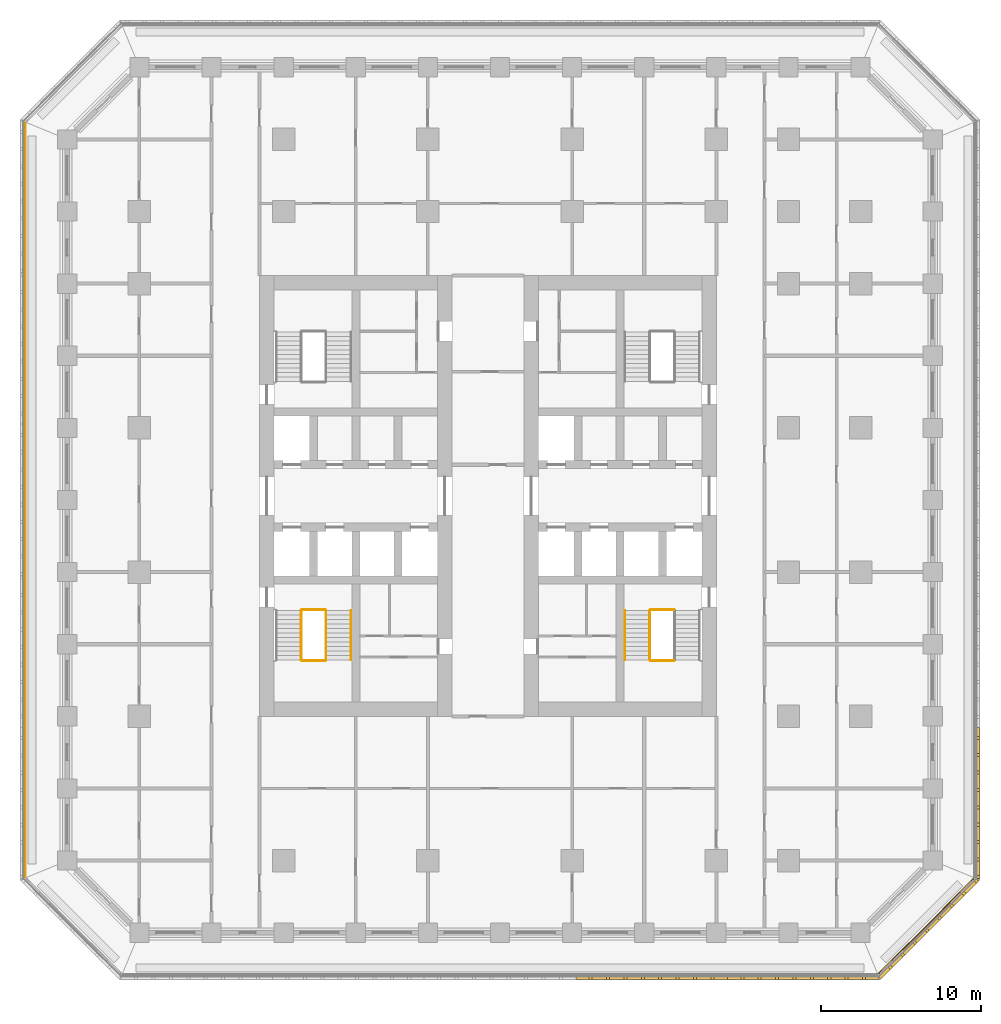
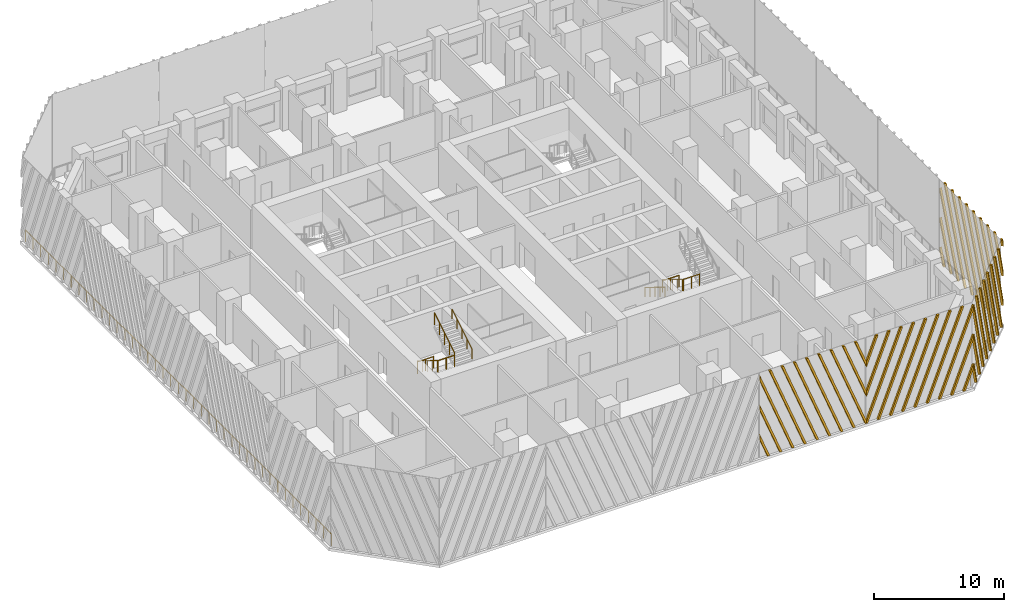
# One storey, part 13 of 20: 11 railings, 4 shading devices.
"""IFC4 building model written with IfcOpenShell, lengths in metres."""

from ifc_helpers import new_model, si_unit, direction, frame, origin, origin_2d, place, context, subcontext, project, spatial, polyline, circle, outline, extrude, source, transform, mapped, material, type_object, element, save


model = new_model("IFC4")

# Units and contexts
model_context = context("Model", 3, precision=1e-05, world=origin(), true_north=direction((0.0, 1.0)))
body_context = subcontext(model_context, "Body", "Model", "MODEL_VIEW")
ifc_project = project(units=[si_unit("LENGTHUNIT", "METRE"), si_unit("AREAUNIT", "SQUARE_METRE"), si_unit("VOLUMEUNIT", "CUBIC_METRE"), si_unit("PLANEANGLEUNIT", "RADIAN"), si_unit("MASSUNIT", "GRAM", prefix="KILO")], contexts=[model_context])

# Site, building, storey
site_placement = place(None, origin())
site = spatial("IfcSite", under=ifc_project, at=site_placement, CompositionType="ELEMENT")
building_placement = place(site_placement, origin())
building = spatial("IfcBuilding", under=site, at=building_placement, Name="Corbel Stack Research Tower", CompositionType="ELEMENT")
storey_placement = place(building_placement, frame((0.0, 0.0, 98.39990234375)))
storey = spatial("IfcBuildingStorey", under=building, at=storey_placement, Name="L22", CompositionType="ELEMENT", Elevation=98.39990234375)

# Railings
ifc_material_1 = material(Name="Steel S355", Category="steel")
railing_type_1 = type_object("IfcRailingType", Name="Stair guard 1100", PredefinedType="GUARDRAIL", material=ifc_material_1)
railing_1_placement = place(storey_placement, frame((-7.89990234375, -2.39990234375, 0.1708984375)))
element("IfcRailing", 1, at=railing_1_placement, inside=storey, type_object=railing_type_1, Name="L22 ST-W1 stair guard 1", PredefinedType="GUARDRAIL", context=body_context, shape_type="SweptSolid", body=[
    extrude(circle(Radius=0.02392578125, at=origin_2d()), frame((0.0, 0.0, 1.076171875), z_axis=(0.0, -0.853666305674, 0.52082035152), x_axis=(1.0, 0.0, 0.0)), (0.0, 0.0, 1.0), 3.608154296875),
    extrude(circle(Radius=0.02099609375, at=origin_2d()), origin(), (0.0, 0.0, 1.0), 1.052001953125),
    extrude(circle(Radius=0.02099609375, at=origin_2d()), frame((0.0, -0.77001953125, 0.4697265625)), (0.0, 0.0, 1.0), 1.052001953125),
    extrude(circle(Radius=0.02099609375, at=origin_2d()), frame((0.0, -1.5400390625, 0.939453125)), (0.0, 0.0, 1.0), 1.052001953125),
    extrude(circle(Radius=0.02099609375, at=origin_2d()), frame((0.0, -2.31005859375, 1.409423828125)), (0.0, 0.0, 1.0), 1.052001953125),
    extrude(circle(Radius=0.02099609375, at=origin_2d()), frame((0.0, -3.080078125, 1.879150390625)), (0.0, 0.0, 1.0), 1.052001953125),
])
railing_2_placement = place(storey_placement, frame((-7.85009765625, -5.530029296875, 2.050048828125)))
element("IfcRailing", 2, at=railing_2_placement, inside=storey, type_object=railing_type_1, Name="L22 ST-W1 stair guard 2", PredefinedType="GUARDRAIL", context=body_context, shape_type="SweptSolid", body=[
    extrude(circle(Radius=0.02392578125, at=origin_2d()), frame((0.0, 0.0, 1.076171875), z_axis=(1.0, 0.0, 0.0), x_axis=(0.0, 1.0, 0.0)), (0.0, 0.0, 1.0), 1.4501953125),
    extrude(circle(Radius=0.02099609375, at=origin_2d()), origin(), (0.0, 0.0, 1.0), 1.052001953125),
    extrude(circle(Radius=0.02099609375, at=origin_2d()), frame((0.72509765625, 0.0, 0.0)), (0.0, 0.0, 1.0), 1.052001953125),
    extrude(circle(Radius=0.02099609375, at=origin_2d()), frame((1.4501953125, 0.0, 0.0)), (0.0, 0.0, 1.0), 1.052001953125),
])
railing_3_placement = place(storey_placement, frame((-6.35009765625, -5.47998046875, 2.220947265625)))
element("IfcRailing", 3, at=railing_3_placement, inside=storey, type_object=railing_type_1, Name="L22 ST-W1 stair guard 4", PredefinedType="GUARDRAIL", context=body_context, shape_type="SweptSolid", body=[
    extrude(circle(Radius=0.02392578125, at=origin_2d()), frame((0.0, 0.0, 1.076171875), z_axis=(0.0, 0.853666305674, 0.52082035152), x_axis=(-1.0, 0.0, 0.0)), (0.0, 0.0, 1.0), 3.608154296875),
    extrude(circle(Radius=0.02099609375, at=origin_2d()), origin(), (0.0, 0.0, 1.0), 1.052001953125),
    extrude(circle(Radius=0.02099609375, at=origin_2d()), frame((0.0, 0.77001953125, 0.4697265625)), (0.0, 0.0, 1.0), 1.052001953125),
    extrude(circle(Radius=0.02099609375, at=origin_2d()), frame((0.0, 1.5400390625, 0.939453125)), (0.0, 0.0, 1.0), 1.052001953125),
    extrude(circle(Radius=0.02099609375, at=origin_2d()), frame((0.0, 2.31005859375, 1.409423828125)), (0.0, 0.0, 1.0), 1.052001953125),
    extrude(circle(Radius=0.02099609375, at=origin_2d()), frame((0.0, 3.080078125, 1.879150390625)), (0.0, 0.0, 1.0), 1.052001953125),
])
railing_4_placement = place(storey_placement, frame((-7.85009765625, -2.35009765625, 0.0)))
element("IfcRailing", 4, at=railing_4_placement, inside=storey, type_object=railing_type_1, Name="L22 ST-W1 stair guard 5", PredefinedType="GUARDRAIL", context=body_context, shape_type="SweptSolid", body=[
    extrude(circle(Radius=0.02392578125, at=origin_2d()), frame((0.0, 0.0, 1.076171875), z_axis=(1.0, 0.0, 0.0), x_axis=(0.0, 1.0, 0.0)), (0.0, 0.0, 1.0), 1.4501953125),
    extrude(circle(Radius=0.02099609375, at=origin_2d()), origin(), (0.0, 0.0, 1.0), 1.052001953125),
    extrude(circle(Radius=0.02099609375, at=origin_2d()), frame((0.72509765625, 0.0, 0.0)), (0.0, 0.0, 1.0), 1.052001953125),
    extrude(circle(Radius=0.02099609375, at=origin_2d()), frame((1.4501953125, 0.0, 0.0)), (0.0, 0.0, 1.0), 1.052001953125),
])
railing_5_placement = place(storey_placement, frame((13.85009765625, -2.39990234375, 0.1708984375)))
element("IfcRailing", 5, at=railing_5_placement, inside=storey, type_object=railing_type_1, Name="L22 ST-E1 stair guard 1", PredefinedType="GUARDRAIL", context=body_context, shape_type="SweptSolid", body=[
    extrude(circle(Radius=0.02392578125, at=origin_2d()), frame((0.0, 0.0, 1.076171875), z_axis=(0.0, -0.853666305674, 0.52082035152), x_axis=(1.0, 0.0, 0.0)), (0.0, 0.0, 1.0), 3.608154296875),
    extrude(circle(Radius=0.02099609375, at=origin_2d()), origin(), (0.0, 0.0, 1.0), 1.052001953125),
    extrude(circle(Radius=0.02099609375, at=origin_2d()), frame((0.0, -0.77001953125, 0.4697265625)), (0.0, 0.0, 1.0), 1.052001953125),
    extrude(circle(Radius=0.02099609375, at=origin_2d()), frame((0.0, -1.5400390625, 0.939453125)), (0.0, 0.0, 1.0), 1.052001953125),
    extrude(circle(Radius=0.02099609375, at=origin_2d()), frame((0.0, -2.31005859375, 1.409423828125)), (0.0, 0.0, 1.0), 1.052001953125),
    extrude(circle(Radius=0.02099609375, at=origin_2d()), frame((0.0, -3.080078125, 1.879150390625)), (0.0, 0.0, 1.0), 1.052001953125),
])
for number, where, name in (
    (6, (13.89990234375, -5.530029296875, 2.050048828125), "L22 ST-E1 stair guard 2"),
    (7, (13.89990234375, -2.35009765625, 0.0), "L22 ST-E1 stair guard 5"),
):
    element("IfcRailing", number, at=place(storey_placement, frame(where)), inside=storey, type_object=railing_type_1, Name=name, PredefinedType="GUARDRAIL", context=body_context, shape_type="SweptSolid", body=[
        extrude(circle(Radius=0.02392578125, at=origin_2d()), frame((0.0, 0.0, 1.076171875), z_axis=(1.0, 0.0, 0.0), x_axis=(0.0, 1.0, 0.0)), (0.0, 0.0, 1.0), 1.4501953125),
        extrude(circle(Radius=0.02099609375, at=origin_2d()), origin(), (0.0, 0.0, 1.0), 1.052001953125),
        extrude(circle(Radius=0.02099609375, at=origin_2d()), frame((0.72509765625, 0.0, 0.0)), (0.0, 0.0, 1.0), 1.052001953125),
        extrude(circle(Radius=0.02099609375, at=origin_2d()), frame((1.4501953125, 0.0, 0.0)), (0.0, 0.0, 1.0), 1.052001953125),
    ])
ifc_material_2 = material(Name="Steel S355", Category="steel")
railing_type_2 = type_object("IfcRailingType", Name="Stair handrail 900", PredefinedType="HANDRAIL", material=ifc_material_2)
railing_6_placement = place(storey_placement, frame((-4.800048828125, -5.47998046875, 2.220947265625)))
element("IfcRailing", 8, at=railing_6_placement, inside=storey, type_object=railing_type_2, Name="L22 ST-W1 stair handrail 2", PredefinedType="HANDRAIL", context=body_context, shape_type="SweptSolid", body=[
    extrude(circle(Radius=0.02392578125, at=origin_2d()), frame((0.0, 0.0, 0.8759765625), z_axis=(0.0, 0.853666305674, 0.52082035152), x_axis=(-1.0, 0.0, 0.0)), (0.0, 0.0, 1.0), 3.608154296875),
    extrude(circle(Radius=0.02099609375, at=origin_2d()), origin(), (0.0, 0.0, 1.0), 0.851806640625),
    extrude(circle(Radius=0.02099609375, at=origin_2d()), frame((0.0, 0.77001953125, 0.4697265625)), (0.0, 0.0, 1.0), 0.851806640625),
    extrude(circle(Radius=0.02099609375, at=origin_2d()), frame((0.0, 1.5400390625, 0.939453125)), (0.0, 0.0, 1.0), 0.851806640625),
    extrude(circle(Radius=0.02099609375, at=origin_2d()), frame((0.0, 2.31005859375, 1.409423828125)), (0.0, 0.0, 1.0), 0.851806640625),
    extrude(circle(Radius=0.02099609375, at=origin_2d()), frame((0.0, 3.080078125, 1.879150390625)), (0.0, 0.0, 1.0), 0.851806640625),
])
railing_7_placement = place(storey_placement, frame((12.300048828125, -2.39990234375, 0.1708984375)))
element("IfcRailing", 9, at=railing_7_placement, inside=storey, type_object=railing_type_2, Name="L22 ST-E1 stair handrail 1", PredefinedType="HANDRAIL", context=body_context, shape_type="SweptSolid", body=[
    extrude(circle(Radius=0.02392578125, at=origin_2d()), frame((0.0, 0.0, 0.8759765625), z_axis=(0.0, -0.853666305674, 0.52082035152), x_axis=(1.0, 0.0, 0.0)), (0.0, 0.0, 1.0), 3.608154296875),
    extrude(circle(Radius=0.02099609375, at=origin_2d()), origin(), (0.0, 0.0, 1.0), 0.851806640625),
    extrude(circle(Radius=0.02099609375, at=origin_2d()), frame((0.0, -0.77001953125, 0.4697265625)), (0.0, 0.0, 1.0), 0.851806640625),
    extrude(circle(Radius=0.02099609375, at=origin_2d()), frame((0.0, -1.5400390625, 0.939453125)), (0.0, 0.0, 1.0), 0.851806640625),
    extrude(circle(Radius=0.02099609375, at=origin_2d()), frame((0.0, -2.31005859375, 1.409423828125)), (0.0, 0.0, 1.0), 0.851806640625),
    extrude(circle(Radius=0.02099609375, at=origin_2d()), frame((0.0, -3.080078125, 1.879150390625)), (0.0, 0.0, 1.0), 0.851806640625),
])
ifc_material_3 = material(Name="Powder-coated steel guard", Category="steel")
railing_type_3 = type_object("IfcRailingType", Name="Steel and glass guard 1100", PredefinedType="GUARDRAIL", material=ifc_material_3)
railing_8_placement = place(storey_placement, frame((28.127685546875, -25.04931640625, 0.0)))
element("IfcRailing", 10, at=railing_8_placement, inside=storey, type_object=railing_type_3, Name="Loggia guard L22 SE", PredefinedType="GUARDRAIL", context=body_context, shape_type="SweptSolid", body=[
    extrude(circle(Radius=0.02392578125, at=origin_2d()), frame((0.0, 0.0, 1.076171875), z_axis=(0.707106781187, 0.707106781187, 0.0), x_axis=(-0.707106781187, 0.707106781187, 0.0)), (0.0, 0.0, 1.0), 8.37451171875),
    extrude(circle(Radius=0.02099609375, at=origin_2d()), origin(), (0.0, 0.0, 1.0), 1.052001953125),
    extrude(circle(Radius=0.02099609375, at=origin_2d()), frame((0.845947265625, 0.845947265625, 0.0)), (0.0, 0.0, 1.0), 1.052001953125),
    extrude(circle(Radius=0.02099609375, at=origin_2d()), frame((1.69189453125, 1.69189453125, 0.0)), (0.0, 0.0, 1.0), 1.052001953125),
    extrude(circle(Radius=0.02099609375, at=origin_2d()), frame((2.537841796875, 2.537841796875, 0.0)), (0.0, 0.0, 1.0), 1.052001953125),
    extrude(circle(Radius=0.02099609375, at=origin_2d()), frame((3.3837890625, 3.3837890625, 0.0)), (0.0, 0.0, 1.0), 1.052001953125),
    extrude(circle(Radius=0.02099609375, at=origin_2d()), frame((4.229736328125, 4.229736328125, 0.0)), (0.0, 0.0, 1.0), 1.052001953125),
    extrude(circle(Radius=0.02099609375, at=origin_2d()), frame((5.07568359375, 5.07568359375, 0.0)), (0.0, 0.0, 1.0), 1.052001953125),
    extrude(circle(Radius=0.02099609375, at=origin_2d()), frame((5.921630859375, 5.921630859375, 0.0)), (0.0, 0.0, 1.0), 1.052001953125),
])
railing_9_placement = place(storey_placement, frame((-25.10009765625, 28.00537109375, 0.0)))
element("IfcRailing", 11, at=railing_9_placement, inside=storey, type_object=railing_type_3, Name="Loggia guard L22 W", PredefinedType="GUARDRAIL", context=body_context, shape_type="SweptSolid", body=[
    extrude(circle(Radius=0.02392578125, at=origin_2d()), frame((0.0, 0.0, 1.076171875), z_axis=(0.0, -1.0, 0.0), x_axis=(1.0, 0.0, 0.0)), (0.0, 0.0, 1.0), 47.0107421875),
    extrude(circle(Radius=0.02099609375, at=origin_2d()), origin(), (0.0, 0.0, 1.0), 1.052001953125),
    extrude(circle(Radius=0.02099609375, at=origin_2d()), frame((0.0, -1.17529296875, 0.0)), (0.0, 0.0, 1.0), 1.052001953125),
    extrude(circle(Radius=0.02099609375, at=origin_2d()), frame((0.0, -2.3505859375, 0.0)), (0.0, 0.0, 1.0), 1.052001953125),
    extrude(circle(Radius=0.02099609375, at=origin_2d()), frame((0.0, -3.52587890625, 0.0)), (0.0, 0.0, 1.0), 1.052001953125),
    extrude(circle(Radius=0.02099609375, at=origin_2d()), frame((0.0, -4.701171875, 0.0)), (0.0, 0.0, 1.0), 1.052001953125),
    extrude(circle(Radius=0.02099609375, at=origin_2d()), frame((0.0, -5.87646484375, 0.0)), (0.0, 0.0, 1.0), 1.052001953125),
    extrude(circle(Radius=0.02099609375, at=origin_2d()), frame((0.0, -7.051513671875, 0.0)), (0.0, 0.0, 1.0), 1.052001953125),
    extrude(circle(Radius=0.02099609375, at=origin_2d()), frame((0.0, -8.226806640625, 0.0)), (0.0, 0.0, 1.0), 1.052001953125),
    extrude(circle(Radius=0.02099609375, at=origin_2d()), frame((0.0, -9.402099609375, 0.0)), (0.0, 0.0, 1.0), 1.052001953125),
    extrude(circle(Radius=0.02099609375, at=origin_2d()), frame((0.0, -10.577392578125, 0.0)), (0.0, 0.0, 1.0), 1.052001953125),
    extrude(circle(Radius=0.02099609375, at=origin_2d()), frame((0.0, -11.752685546875, 0.0)), (0.0, 0.0, 1.0), 1.052001953125),
    extrude(circle(Radius=0.02099609375, at=origin_2d()), frame((0.0, -12.927978515625, 0.0)), (0.0, 0.0, 1.0), 1.052001953125),
    extrude(circle(Radius=0.02099609375, at=origin_2d()), frame((0.0, -14.103271484375, 0.0)), (0.0, 0.0, 1.0), 1.052001953125),
    extrude(circle(Radius=0.02099609375, at=origin_2d()), frame((0.0, -15.278564453125, 0.0)), (0.0, 0.0, 1.0), 1.052001953125),
    extrude(circle(Radius=0.02099609375, at=origin_2d()), frame((0.0, -16.453857421875, 0.0)), (0.0, 0.0, 1.0), 1.052001953125),
    extrude(circle(Radius=0.02099609375, at=origin_2d()), frame((0.0, -17.62890625, 0.0)), (0.0, 0.0, 1.0), 1.052001953125),
    extrude(circle(Radius=0.02099609375, at=origin_2d()), frame((0.0, -18.80419921875, 0.0)), (0.0, 0.0, 1.0), 1.052001953125),
    extrude(circle(Radius=0.02099609375, at=origin_2d()), frame((0.0, -19.9794921875, 0.0)), (0.0, 0.0, 1.0), 1.052001953125),
    extrude(circle(Radius=0.02099609375, at=origin_2d()), frame((0.0, -21.15478515625, 0.0)), (0.0, 0.0, 1.0), 1.052001953125),
    extrude(circle(Radius=0.02099609375, at=origin_2d()), frame((0.0, -22.330078125, 0.0)), (0.0, 0.0, 1.0), 1.052001953125),
    extrude(circle(Radius=0.02099609375, at=origin_2d()), frame((0.0, -23.50537109375, 0.0)), (0.0, 0.0, 1.0), 1.052001953125),
    extrude(circle(Radius=0.02099609375, at=origin_2d()), frame((0.0, -24.6806640625, 0.0)), (0.0, 0.0, 1.0), 1.052001953125),
    extrude(circle(Radius=0.02099609375, at=origin_2d()), frame((0.0, -25.85595703125, 0.0)), (0.0, 0.0, 1.0), 1.052001953125),
    extrude(circle(Radius=0.02099609375, at=origin_2d()), frame((0.0, -27.03125, 0.0)), (0.0, 0.0, 1.0), 1.052001953125),
    extrude(circle(Radius=0.02099609375, at=origin_2d()), frame((0.0, -28.20654296875, 0.0)), (0.0, 0.0, 1.0), 1.052001953125),
    extrude(circle(Radius=0.02099609375, at=origin_2d()), frame((0.0, -29.3818359375, 0.0)), (0.0, 0.0, 1.0), 1.052001953125),
    extrude(circle(Radius=0.02099609375, at=origin_2d()), frame((0.0, -30.556884765625, 0.0)), (0.0, 0.0, 1.0), 1.052001953125),
    extrude(circle(Radius=0.02099609375, at=origin_2d()), frame((0.0, -31.732177734375, 0.0)), (0.0, 0.0, 1.0), 1.052001953125),
    extrude(circle(Radius=0.02099609375, at=origin_2d()), frame((0.0, -32.907470703125, 0.0)), (0.0, 0.0, 1.0), 1.052001953125),
    extrude(circle(Radius=0.02099609375, at=origin_2d()), frame((0.0, -34.082763671875, 0.0)), (0.0, 0.0, 1.0), 1.052001953125),
    extrude(circle(Radius=0.02099609375, at=origin_2d()), frame((0.0, -35.258056640625, 0.0)), (0.0, 0.0, 1.0), 1.052001953125),
    extrude(circle(Radius=0.02099609375, at=origin_2d()), frame((0.0, -36.433349609375, 0.0)), (0.0, 0.0, 1.0), 1.052001953125),
    extrude(circle(Radius=0.02099609375, at=origin_2d()), frame((0.0, -37.608642578125, 0.0)), (0.0, 0.0, 1.0), 1.052001953125),
    extrude(circle(Radius=0.02099609375, at=origin_2d()), frame((0.0, -38.783935546875, 0.0)), (0.0, 0.0, 1.0), 1.052001953125),
    extrude(circle(Radius=0.02099609375, at=origin_2d()), frame((0.0, -39.959228515625, 0.0)), (0.0, 0.0, 1.0), 1.052001953125),
    extrude(circle(Radius=0.02099609375, at=origin_2d()), frame((0.0, -41.13427734375, 0.0)), (0.0, 0.0, 1.0), 1.052001953125),
    extrude(circle(Radius=0.02099609375, at=origin_2d()), frame((0.0, -42.3095703125, 0.0)), (0.0, 0.0, 1.0), 1.052001953125),
    extrude(circle(Radius=0.02099609375, at=origin_2d()), frame((0.0, -43.48486328125, 0.0)), (0.0, 0.0, 1.0), 1.052001953125),
    extrude(circle(Radius=0.02099609375, at=origin_2d()), frame((0.0, -44.66015625, 0.0)), (0.0, 0.0, 1.0), 1.052001953125),
    extrude(circle(Radius=0.02099609375, at=origin_2d()), frame((0.0, -45.83544921875, 0.0)), (0.0, 0.0, 1.0), 1.052001953125),
    extrude(circle(Radius=0.02099609375, at=origin_2d()), frame((0.0, -47.0107421875, 0.0)), (0.0, 0.0, 1.0), 1.052001953125),
])

# Shading devices
ifc_material_4 = material(Name="Precast terracotta", Category="masonry")
shading_device_type = type_object("IfcShadingDeviceType", Name="Terracotta screen panel", PredefinedType="USERDEFINED", material=ifc_material_4)
shared_shape_1 = source(origin(), body_context, "Body", "SweptSolid", [
    extrude(outline(polyline([(1.030517578125, 7.949951171875), (0.840576171875, 7.949951171875), (0.0, 5.7978515625), (0.0, 5.311279296875), (1.030517578125, 7.949951171875)])), frame((0.0, 0.0, 0.0), z_axis=(0.0, -1.0, 0.0), x_axis=(1.0, 0.0, 0.0)), (0.0, 0.0, 1.0), 0.179931640625),
    extrude(outline(polyline([(2.115234375, 7.949951171875), (1.92529296875, 7.949951171875), (0.0, 3.0205078125), (0.0, 2.533935546875), (2.115234375, 7.949951171875)])), frame((0.0, 0.0, 0.0), z_axis=(0.0, -1.0, 0.0), x_axis=(1.0, 0.0, 0.0)), (0.0, 0.0, 1.0), 0.179931640625),
    extrude(outline(polyline([(0.094970703125, 0.0), (3.199951171875, 7.949951171875), (3.010009765625, 7.949951171875), (0.0, 0.2431640625), (0.0, 0.0), (0.094970703125, 0.0)])), frame((0.0, 0.0, 0.0), z_axis=(0.0, -1.0, 0.0), x_axis=(1.0, 0.0, 0.0)), (0.0, 0.0, 1.0), 0.179931640625),
    extrude(outline(polyline([(1.1796875, 0.0), (4.284423828125, 7.949951171875), (4.094482421875, 7.949951171875), (0.98974609375, 0.0), (1.1796875, 0.0)])), frame((0.0, 0.0, 0.0), z_axis=(0.0, -1.0, 0.0), x_axis=(1.0, 0.0, 0.0)), (0.0, 0.0, 1.0), 0.179931640625),
    extrude(outline(polyline([(2.264404296875, 0.0), (5.369140625, 7.949951171875), (5.17919921875, 7.949951171875), (2.07421875, 0.0), (2.264404296875, 0.0)])), frame((0.0, 0.0, 0.0), z_axis=(0.0, -1.0, 0.0), x_axis=(1.0, 0.0, 0.0)), (0.0, 0.0, 1.0), 0.179931640625),
    extrude(outline(polyline([(3.34912109375, 0.0), (6.453857421875, 7.949951171875), (6.263916015625, 7.949951171875), (3.158935546875, 0.0), (3.34912109375, 0.0)])), frame((0.0, 0.0, 0.0), z_axis=(0.0, -1.0, 0.0), x_axis=(1.0, 0.0, 0.0)), (0.0, 0.0, 1.0), 0.179931640625),
    extrude(outline(polyline([(4.43359375, 0.0), (7.53857421875, 7.949951171875), (7.348388671875, 7.949951171875), (4.24365234375, 0.0), (4.43359375, 0.0)])), frame((0.0, 0.0, 0.0), z_axis=(0.0, -1.0, 0.0), x_axis=(1.0, 0.0, 0.0)), (0.0, 0.0, 1.0), 0.179931640625),
    extrude(outline(polyline([(5.518310546875, 0.0), (8.623291015625, 7.949951171875), (8.43310546875, 7.949951171875), (5.328369140625, 0.0), (5.518310546875, 0.0)])), frame((0.0, 0.0, 0.0), z_axis=(0.0, -1.0, 0.0), x_axis=(1.0, 0.0, 0.0)), (0.0, 0.0, 1.0), 0.179931640625),
    extrude(outline(polyline([(6.60302734375, 0.0), (9.45556640625, 7.30419921875), (9.45556640625, 7.790771484375), (6.4130859375, 0.0), (6.60302734375, 0.0)])), frame((0.0, 0.0, 0.0), z_axis=(0.0, -1.0, 0.0), x_axis=(1.0, 0.0, 0.0)), (0.0, 0.0, 1.0), 0.179931640625),
    extrude(outline(polyline([(7.687744140625, 0.0), (9.45556640625, 4.52685546875), (9.45556640625, 5.013427734375), (7.497802734375, 0.0), (7.687744140625, 0.0)])), frame((0.0, 0.0, 0.0), z_axis=(0.0, -1.0, 0.0), x_axis=(1.0, 0.0, 0.0)), (0.0, 0.0, 1.0), 0.179931640625),
    extrude(outline(polyline([(8.772216796875, 0.0), (9.45556640625, 1.74951171875), (9.45556640625, 2.236083984375), (8.582275390625, 0.0), (8.772216796875, 0.0)])), frame((0.0, 0.0, 0.0), z_axis=(0.0, -1.0, 0.0), x_axis=(1.0, 0.0, 0.0)), (0.0, 0.0, 1.0), 0.179931640625),
])
shading_device_1_placement = place(storey_placement, frame((18.68359375, -25.25, 0.0), z_axis=(0.0, 0.0, 1.0), x_axis=(1.0, 0.0, 0.0)))
element("IfcShadingDevice", 12, at=shading_device_1_placement, inside=storey, type_object=shading_device_type, Name="Terracotta screen L22 S5", ObjectType="SCREEN", PredefinedType="USERDEFINED", context=body_context, shape_type="MappedRepresentation", body=[
    mapped(shared_shape_1, transform((0.0, 0.0, 0.0))),
])
shared_shape_2 = source(origin(), body_context, "Body", "SweptSolid", [
    extrude(outline(polyline([(0.873291015625, 0.0), (0.0, 2.236083984375), (0.0, 1.74951171875), (0.683349609375, 0.0), (0.873291015625, 0.0)])), frame((0.0, 0.0, 0.0), z_axis=(0.0, -1.0, 0.0), x_axis=(1.0, 0.0, 0.0)), (0.0, 0.0, 1.0), 0.179931640625),
    extrude(outline(polyline([(1.9580078125, 0.0), (0.0, 5.013427734375), (0.0, 4.52685546875), (1.76806640625, 0.0), (1.9580078125, 0.0)])), frame((0.0, 0.0, 0.0), z_axis=(0.0, -1.0, 0.0), x_axis=(1.0, 0.0, 0.0)), (0.0, 0.0, 1.0), 0.179931640625),
    extrude(outline(polyline([(3.04248046875, 0.0), (0.0, 7.790771484375), (0.0, 7.30419921875), (2.8525390625, 0.0), (3.04248046875, 0.0)])), frame((0.0, 0.0, 0.0), z_axis=(0.0, -1.0, 0.0), x_axis=(1.0, 0.0, 0.0)), (0.0, 0.0, 1.0), 0.179931640625),
    extrude(outline(polyline([(4.127197265625, 0.0), (1.0224609375, 7.949951171875), (0.83251953125, 7.949951171875), (3.937255859375, 0.0), (4.127197265625, 0.0)])), frame((0.0, 0.0, 0.0), z_axis=(0.0, -1.0, 0.0), x_axis=(1.0, 0.0, 0.0)), (0.0, 0.0, 1.0), 0.179931640625),
    extrude(outline(polyline([(5.2119140625, 0.0), (2.107177734375, 7.949951171875), (1.9169921875, 7.949951171875), (5.02197265625, 0.0), (5.2119140625, 0.0)])), frame((0.0, 0.0, 0.0), z_axis=(0.0, -1.0, 0.0), x_axis=(1.0, 0.0, 0.0)), (0.0, 0.0, 1.0), 0.179931640625),
    extrude(outline(polyline([(6.296630859375, 0.0), (3.19189453125, 7.949951171875), (3.001708984375, 7.949951171875), (6.106689453125, 0.0), (6.296630859375, 0.0)])), frame((0.0, 0.0, 0.0), z_axis=(0.0, -1.0, 0.0), x_axis=(1.0, 0.0, 0.0)), (0.0, 0.0, 1.0), 0.179931640625),
    extrude(outline(polyline([(7.38134765625, 0.0), (4.276611328125, 7.949951171875), (4.08642578125, 7.949951171875), (7.19140625, 0.0), (7.38134765625, 0.0)])), frame((0.0, 0.0, 0.0), z_axis=(0.0, -1.0, 0.0), x_axis=(1.0, 0.0, 0.0)), (0.0, 0.0, 1.0), 0.179931640625),
    extrude(outline(polyline([(8.466064453125, 0.0), (5.361083984375, 7.949951171875), (5.171142578125, 7.949951171875), (8.27587890625, 0.0), (8.466064453125, 0.0)])), frame((0.0, 0.0, 0.0), z_axis=(0.0, -1.0, 0.0), x_axis=(1.0, 0.0, 0.0)), (0.0, 0.0, 1.0), 0.179931640625),
    extrude(outline(polyline([(9.45556640625, 0.0), (9.45556640625, 0.2431640625), (6.44580078125, 7.949951171875), (6.255859375, 7.949951171875), (9.360595703125, 0.0), (9.45556640625, 0.0)])), frame((0.0, 0.0, 0.0), z_axis=(0.0, -1.0, 0.0), x_axis=(1.0, 0.0, 0.0)), (0.0, 0.0, 1.0), 0.179931640625),
    extrude(outline(polyline([(7.530517578125, 7.949951171875), (7.34033203125, 7.949951171875), (9.45556640625, 2.533935546875), (9.45556640625, 3.0205078125), (7.530517578125, 7.949951171875)])), frame((0.0, 0.0, 0.0), z_axis=(0.0, -1.0, 0.0), x_axis=(1.0, 0.0, 0.0)), (0.0, 0.0, 1.0), 0.179931640625),
    extrude(outline(polyline([(8.614990234375, 7.949951171875), (8.425048828125, 7.949951171875), (9.45556640625, 5.311279296875), (9.45556640625, 5.7978515625), (8.614990234375, 7.949951171875)])), frame((0.0, 0.0, 0.0), z_axis=(0.0, -1.0, 0.0), x_axis=(1.0, 0.0, 0.0)), (0.0, 0.0, 1.0), 0.179931640625),
])
shading_device_2_placement = place(storey_placement, frame((9.227783203125, -25.25, 0.0), z_axis=(0.0, 0.0, 1.0), x_axis=(1.0, 0.0, 0.0)))
element("IfcShadingDevice", 13, at=shading_device_2_placement, inside=storey, type_object=shading_device_type, Name="Terracotta screen L22 S4", ObjectType="SCREEN", PredefinedType="USERDEFINED", context=body_context, shape_type="MappedRepresentation", body=[
    mapped(shared_shape_2, transform((0.0, 0.0, 0.0))),
])
shared_shape_3 = source(origin(), body_context, "Body", "SweptSolid", [
    extrude(outline(polyline([(0.873291015625, 0.0), (0.0, 2.236083984375), (0.0, 1.74951171875), (0.683349609375, 0.0), (0.873291015625, 0.0)])), frame((0.0, 0.0, 0.0), z_axis=(0.0, -1.0, 0.0), x_axis=(1.0, 0.0, 0.0)), (0.0, 0.0, 1.0), 0.179931640625),
    extrude(outline(polyline([(1.9580078125, 0.0), (0.0, 5.013427734375), (0.0, 4.52685546875), (1.76806640625, 0.0), (1.9580078125, 0.0)])), frame((0.0, 0.0, 0.0), z_axis=(0.0, -1.0, 0.0), x_axis=(1.0, 0.0, 0.0)), (0.0, 0.0, 1.0), 0.179931640625),
    extrude(outline(polyline([(3.04248046875, 0.0), (0.0, 7.790771484375), (0.0, 7.30419921875), (2.8525390625, 0.0), (3.04248046875, 0.0)])), frame((0.0, 0.0, 0.0), z_axis=(0.0, -1.0, 0.0), x_axis=(1.0, 0.0, 0.0)), (0.0, 0.0, 1.0), 0.179931640625),
    extrude(outline(polyline([(4.127197265625, 0.0), (1.0224609375, 7.949951171875), (0.83251953125, 7.949951171875), (3.937255859375, 0.0), (4.127197265625, 0.0)])), frame((0.0, 0.0, 0.0), z_axis=(0.0, -1.0, 0.0), x_axis=(1.0, 0.0, 0.0)), (0.0, 0.0, 1.0), 0.179931640625),
    extrude(outline(polyline([(5.2119140625, 0.0), (2.107177734375, 7.949951171875), (1.9169921875, 7.949951171875), (5.02197265625, 0.0), (5.2119140625, 0.0)])), frame((0.0, 0.0, 0.0), z_axis=(0.0, -1.0, 0.0), x_axis=(1.0, 0.0, 0.0)), (0.0, 0.0, 1.0), 0.179931640625),
    extrude(outline(polyline([(6.296630859375, 0.0), (3.19189453125, 7.949951171875), (3.001708984375, 7.949951171875), (6.106689453125, 0.0), (6.296630859375, 0.0)])), frame((0.0, 0.0, 0.0), z_axis=(0.0, -1.0, 0.0), x_axis=(1.0, 0.0, 0.0)), (0.0, 0.0, 1.0), 0.179931640625),
    extrude(outline(polyline([(7.38134765625, 0.0), (4.276611328125, 7.949951171875), (4.08642578125, 7.949951171875), (7.19140625, 0.0), (7.38134765625, 0.0)])), frame((0.0, 0.0, 0.0), z_axis=(0.0, -1.0, 0.0), x_axis=(1.0, 0.0, 0.0)), (0.0, 0.0, 1.0), 0.179931640625),
    extrude(outline(polyline([(8.466064453125, 0.0), (5.361083984375, 7.949951171875), (5.171142578125, 7.949951171875), (8.27587890625, 0.0), (8.466064453125, 0.0)])), frame((0.0, 0.0, 0.0), z_axis=(0.0, -1.0, 0.0), x_axis=(1.0, 0.0, 0.0)), (0.0, 0.0, 1.0), 0.179931640625),
    extrude(outline(polyline([(6.44580078125, 7.949951171875), (6.255859375, 7.949951171875), (8.64208984375, 1.839599609375), (8.64208984375, 2.326171875), (6.44580078125, 7.949951171875)])), frame((0.0, 0.0, 0.0), z_axis=(0.0, -1.0, 0.0), x_axis=(1.0, 0.0, 0.0)), (0.0, 0.0, 1.0), 0.179931640625),
    extrude(outline(polyline([(7.530517578125, 7.949951171875), (7.34033203125, 7.949951171875), (8.64208984375, 4.616943359375), (8.64208984375, 5.103515625), (7.530517578125, 7.949951171875)])), frame((0.0, 0.0, 0.0), z_axis=(0.0, -1.0, 0.0), x_axis=(1.0, 0.0, 0.0)), (0.0, 0.0, 1.0), 0.179931640625),
    extrude(outline(polyline([(8.614990234375, 7.949951171875), (8.425048828125, 7.949951171875), (8.64208984375, 7.394287109375), (8.64208984375, 7.880859375), (8.614990234375, 7.949951171875)])), frame((0.0, 0.0, 0.0), z_axis=(0.0, -1.0, 0.0), x_axis=(1.0, 0.0, 0.0)), (0.0, 0.0, 1.0), 0.179931640625),
])
shading_device_3_placement = place(storey_placement, frame((28.13916015625, -25.25, 0.0), z_axis=(0.0, 0.0, 1.0), x_axis=(0.707106781187, 0.707106781187, 0.0)))
element("IfcShadingDevice", 14, at=shading_device_3_placement, inside=storey, type_object=shading_device_type, Name="Terracotta screen L22 SE1", ObjectType="SCREEN", PredefinedType="USERDEFINED", context=body_context, shape_type="MappedRepresentation", body=[
    mapped(shared_shape_3, transform((0.0, 0.0, 0.0))),
])
shared_shape_4 = source(origin(), body_context, "Body", "SweptSolid", [
    extrude(outline(polyline([(0.217041015625, 7.949951171875), (0.027099609375, 7.949951171875), (0.0, 7.880859375), (0.0, 7.394287109375), (0.217041015625, 7.949951171875)])), frame((0.0, 0.0, 0.0), z_axis=(0.0, -1.0, 0.0), x_axis=(1.0, 0.0, 0.0)), (0.0, 0.0, 1.0), 0.179931640625),
    extrude(outline(polyline([(1.3017578125, 7.949951171875), (1.11181640625, 7.949951171875), (0.0, 5.103515625), (0.0, 4.616943359375), (1.3017578125, 7.949951171875)])), frame((0.0, 0.0, 0.0), z_axis=(0.0, -1.0, 0.0), x_axis=(1.0, 0.0, 0.0)), (0.0, 0.0, 1.0), 0.179931640625),
    extrude(outline(polyline([(2.386474609375, 7.949951171875), (2.1962890625, 7.949951171875), (0.0, 2.326171875), (0.0, 1.839599609375), (2.386474609375, 7.949951171875)])), frame((0.0, 0.0, 0.0), z_axis=(0.0, -1.0, 0.0), x_axis=(1.0, 0.0, 0.0)), (0.0, 0.0, 1.0), 0.179931640625),
    extrude(outline(polyline([(0.3662109375, 0.0), (3.470947265625, 7.949951171875), (3.281005859375, 7.949951171875), (0.17626953125, 0.0), (0.3662109375, 0.0)])), frame((0.0, 0.0, 0.0), z_axis=(0.0, -1.0, 0.0), x_axis=(1.0, 0.0, 0.0)), (0.0, 0.0, 1.0), 0.179931640625),
    extrude(outline(polyline([(1.45068359375, 0.0), (4.5556640625, 7.949951171875), (4.36572265625, 7.949951171875), (1.2607421875, 0.0), (1.45068359375, 0.0)])), frame((0.0, 0.0, 0.0), z_axis=(0.0, -1.0, 0.0), x_axis=(1.0, 0.0, 0.0)), (0.0, 0.0, 1.0), 0.179931640625),
    extrude(outline(polyline([(2.535400390625, 0.0), (5.640380859375, 7.949951171875), (5.4501953125, 7.949951171875), (2.345458984375, 0.0), (2.535400390625, 0.0)])), frame((0.0, 0.0, 0.0), z_axis=(0.0, -1.0, 0.0), x_axis=(1.0, 0.0, 0.0)), (0.0, 0.0, 1.0), 0.179931640625),
    extrude(outline(polyline([(3.6201171875, 0.0), (6.72509765625, 7.949951171875), (6.534912109375, 7.949951171875), (3.43017578125, 0.0), (3.6201171875, 0.0)])), frame((0.0, 0.0, 0.0), z_axis=(0.0, -1.0, 0.0), x_axis=(1.0, 0.0, 0.0)), (0.0, 0.0, 1.0), 0.179931640625),
    extrude(outline(polyline([(4.704833984375, 0.0), (7.809814453125, 7.949951171875), (7.61962890625, 7.949951171875), (4.514892578125, 0.0), (4.704833984375, 0.0)])), frame((0.0, 0.0, 0.0), z_axis=(0.0, -1.0, 0.0), x_axis=(1.0, 0.0, 0.0)), (0.0, 0.0, 1.0), 0.179931640625),
    extrude(outline(polyline([(5.78955078125, 0.0), (8.894287109375, 7.949951171875), (8.704345703125, 7.949951171875), (5.599609375, 0.0), (5.78955078125, 0.0)])), frame((0.0, 0.0, 0.0), z_axis=(0.0, -1.0, 0.0), x_axis=(1.0, 0.0, 0.0)), (0.0, 0.0, 1.0), 0.179931640625),
    extrude(outline(polyline([(6.874267578125, 0.0), (9.45556640625, 6.60986328125), (9.45556640625, 7.096435546875), (6.68408203125, 0.0), (6.874267578125, 0.0)])), frame((0.0, 0.0, 0.0), z_axis=(0.0, -1.0, 0.0), x_axis=(1.0, 0.0, 0.0)), (0.0, 0.0, 1.0), 0.179931640625),
    extrude(outline(polyline([(7.958740234375, 0.0), (9.45556640625, 3.83251953125), (9.45556640625, 4.319091796875), (7.768798828125, 0.0), (7.958740234375, 0.0)])), frame((0.0, 0.0, 0.0), z_axis=(0.0, -1.0, 0.0), x_axis=(1.0, 0.0, 0.0)), (0.0, 0.0, 1.0), 0.179931640625),
    extrude(outline(polyline([(9.04345703125, 0.0), (9.45556640625, 1.055419921875), (9.45556640625, 1.541748046875), (8.853515625, 0.0), (9.04345703125, 0.0)])), frame((0.0, 0.0, 0.0), z_axis=(0.0, -1.0, 0.0), x_axis=(1.0, 0.0, 0.0)), (0.0, 0.0, 1.0), 0.179931640625),
])
shading_device_4_placement = place(storey_placement, frame((34.25, -19.13916015625, 0.0), z_axis=(0.0, 0.0, 1.0), x_axis=(0.0, 1.0, 0.0)))
element("IfcShadingDevice", 15, at=shading_device_4_placement, inside=storey, type_object=shading_device_type, Name="Terracotta screen L22 E1", ObjectType="SCREEN", PredefinedType="USERDEFINED", context=body_context, shape_type="MappedRepresentation", body=[
    mapped(shared_shape_4, transform((0.0, 0.0, 0.0))),
])

save(model, "model.ifc")
